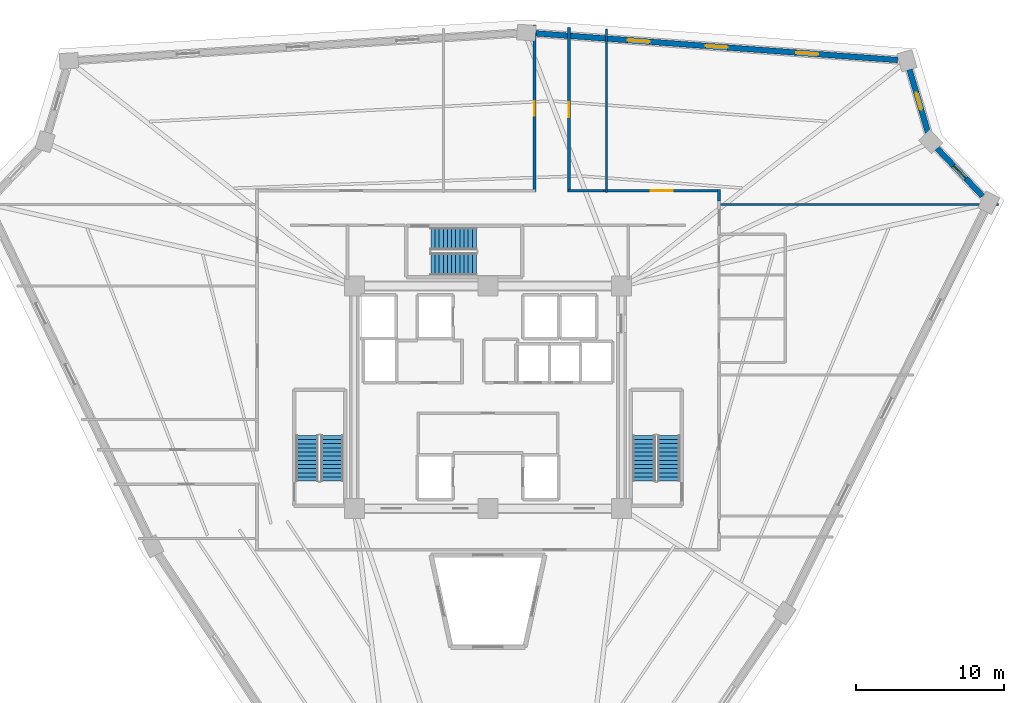
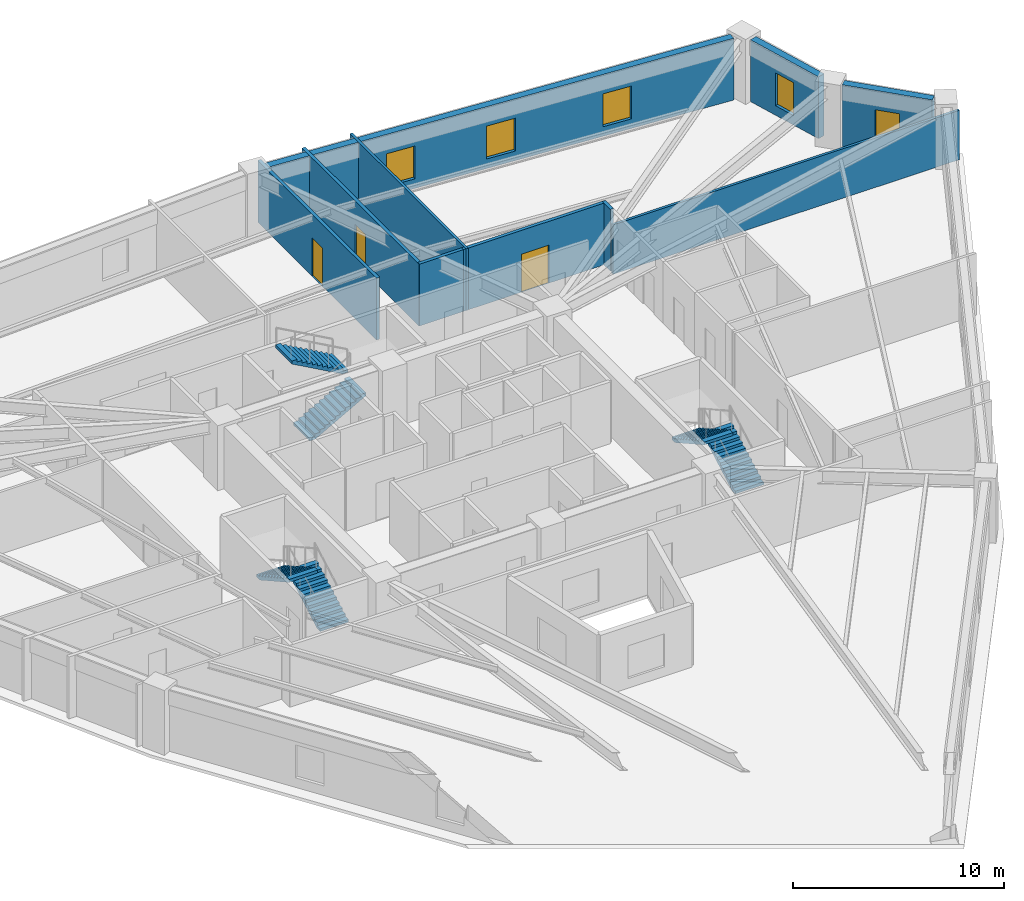
# One storey, part 7 of 8: 10 walls, 6 stair flights, 5 windows, 3 doors, 8 openings, 3 elements without a shape of their own.
"""IFC4 building model written with IfcOpenShell, lengths in metres."""

from ifc_helpers import new_model, si_unit, direction, frame, frame_2d, origin, place, context, subcontext, project, spatial, polyline, rectangle, outline, extrude, source, transform, mapped, material, layer, layer_set, type_object, element, fill, aggregate, save


model = new_model("IFC4")

# Units and contexts
model_context = context("Model", 3, precision=1e-05, world=origin(), true_north=direction((0.0, 1.0)))
body_context = subcontext(model_context, "Body", "Model", "MODEL_VIEW")
ifc_project = project(units=[si_unit("LENGTHUNIT", "METRE"), si_unit("AREAUNIT", "SQUARE_METRE"), si_unit("VOLUMEUNIT", "CUBIC_METRE"), si_unit("PLANEANGLEUNIT", "RADIAN"), si_unit("MASSUNIT", "GRAM", prefix="KILO")], contexts=[model_context])

# Site, building, storey
site_placement = place(None, origin())
site = spatial("IfcSite", under=ifc_project, at=site_placement, CompositionType="ELEMENT")
building_placement = place(site_placement, origin())
building = spatial("IfcBuilding", under=site, at=building_placement, Name="Liaohun Quay Tower", CompositionType="ELEMENT")
storey_placement = place(building_placement, frame((0.0, 0.0, 209.25)))
storey = spatial("IfcBuildingStorey", under=building, at=storey_placement, Name="L54", CompositionType="ELEMENT", Elevation=209.25)

# Wall, opening, window
ifc_material_1 = material(Name="Precast concrete C50 insulated sandwich", Category="concrete")
ifc_layer_1 = layer(ifc_material_1, 0.3798828125, Name="Precast concrete C50 insulated sandwich", Category="concrete")
ifc_layer_set_1 = layer_set([ifc_layer_1], Name="Precast concrete C50 insulated sandwich")
wall_type_1 = type_object("IfcWallType", Name="WAL-EXT-Z34", PredefinedType="SOLIDWALL", material=ifc_layer_set_1)
wall_1_placement = place(storey_placement, frame((93.31201171875, 67.553955078125, 0.0), z_axis=(0.0, 0.0, 1.0), x_axis=(-0.689339649611, 0.724438297906, 0.0)))
wall_1 = element("IfcWall", 1, at=wall_1_placement, inside=storey, type_object=wall_type_1, Name="L54 Brutalist Precast Pier Wall 04", PredefinedType="SOLIDWALL", context=body_context, shape_type="SweptSolid", body=[
    extrude(rectangle(XDim=4.44482421875, YDim=0.3798828125, at=frame_2d((2.222412109375, 0.0))), origin(), (0.0, 0.0, 1.0), 3.570068359375),
])
shared_shape_1 = source(origin(), body_context, "Body", "SweptSolid", [
    extrude(rectangle(XDim=1.199951171875, YDim=1.89990234375, at=frame_2d((0.60009765625, 0.949951171875))), frame((0.0, 0.199951171875, 0.0), z_axis=(0.0, -1.0, 0.0), x_axis=(1.0, 0.0, 0.0)), (0.0, 0.0, 1.0), 0.39990234375),
])
opening_1_placement = place(wall_1_placement, frame((1.6220703125, 0.0, 0.550048828125)))
opening_1 = element("IfcOpeningElement", 2, at=opening_1_placement, cuts=wall_1, Name="Opening W05", PredefinedType="OPENING", context=body_context, shape_type="MappedRepresentation", body=[
    mapped(shared_shape_1, transform((0.0, 0.0, 0.0), x_axis=(1.0, 0.0, 0.0), y_axis=(0.0, 1.0, 0.0), z_axis=(0.0, 0.0, 1.0), scale=1.0)),
])
ifc_material_2 = material(Name="Triple Low-E corner notch glazing", Category="glass")
window_type_1 = type_object("IfcWindowType", Name="WIN-NOTCH", PartitioningType="SINGLE_PANEL", PredefinedType="WINDOW", material=ifc_material_2)
shared_shape_2 = source(origin(), body_context, "Body", "SweptSolid", [
    extrude(rectangle(XDim=1.199951171875, YDim=1.89990234375, at=frame_2d((0.60009765625, 0.949951171875))), frame((0.0, 0.030029296875, 0.0), z_axis=(0.0, -1.0, 0.0), x_axis=(1.0, 0.0, 0.0)), (0.0, 0.0, 1.0), 0.06005859375),
])
window_1_placement = place(opening_1_placement, origin())
window_1 = element("IfcWindow", 3, at=window_1_placement, inside=storey, type_object=window_type_1, Name="L54 Corner Notch Window W05-04", OverallHeight=1.89990234375, OverallWidth=1.199951171875, PartitioningType="SINGLE_PANEL", PredefinedType="WINDOW", context=body_context, shape_type="MappedRepresentation", body=[
    mapped(shared_shape_2, transform((0.0, 0.0, 0.0), x_axis=(1.0, 0.0, 0.0), y_axis=(0.0, 1.0, 0.0), z_axis=(0.0, 0.0, 1.0), scale=1.0)),
])
fill(opening_1, window_1)

wall_2_placement = place(storey_placement, frame((89.64990234375, 71.80908203125, 0.0), z_axis=(0.0, 0.0, 1.0), x_axis=(-0.282504740452, 0.95926590246, 0.0)))
wall_2 = element("IfcWall", 4, at=wall_2_placement, inside=storey, type_object=wall_type_1, Name="L54 Brutalist Precast Pier Wall 05", PredefinedType="SOLIDWALL", context=body_context, shape_type="SweptSolid", body=[
    extrude(rectangle(XDim=4.452392578125, YDim=0.3798828125, at=frame_2d((2.22607421875, 0.0))), origin(), (0.0, 0.0, 1.0), 3.570068359375),
])
opening_2_placement = place(wall_2_placement, frame((1.6259765625, 0.0, 0.550048828125)))
opening_2 = element("IfcOpeningElement", 5, at=opening_2_placement, cuts=wall_2, Name="Opening W05", PredefinedType="OPENING", context=body_context, shape_type="MappedRepresentation", body=[
    mapped(shared_shape_1, transform((0.0, 0.0, 0.0), x_axis=(1.0, 0.0, 0.0), y_axis=(0.0, 1.0, 0.0), z_axis=(0.0, 0.0, 1.0), scale=1.0)),
])
window_2_placement = place(opening_2_placement, origin())
window_2 = element("IfcWindow", 6, at=window_2_placement, inside=storey, type_object=window_type_1, Name="L54 Corner Notch Window W05-05", OverallHeight=1.89990234375, OverallWidth=1.199951171875, PartitioningType="SINGLE_PANEL", PredefinedType="WINDOW", context=body_context, shape_type="MappedRepresentation", body=[
    mapped(shared_shape_2, transform((0.0, 0.0, 0.0), x_axis=(1.0, 0.0, 0.0), y_axis=(0.0, 1.0, 0.0), z_axis=(0.0, 0.0, 1.0), scale=1.0)),
])
fill(opening_2, window_2)

# Wall, openings, windows
wall_3_placement = place(storey_placement, frame((87.60498046875, 76.715087890625, 0.0), z_axis=(0.0, 0.0, 1.0), x_axis=(-0.997283768188, 0.073655181142, 0.0)))
wall_3 = element("IfcWall", 7, at=wall_3_placement, inside=storey, type_object=wall_type_1, Name="L54 Brutalist Precast Pier Wall 06", PredefinedType="SOLIDWALL", context=body_context, shape_type="SweptSolid", body=[
    extrude(rectangle(XDim=24.46533203125, YDim=0.3798828125, at=frame_2d((12.232666015625, 0.0))), origin(), (0.0, 0.0, 1.0), 3.570068359375),
])
shared_shape_3 = source(origin(), body_context, "Body", "SweptSolid", [
    extrude(rectangle(XDim=1.5, YDim=1.89990234375, at=frame_2d((0.75, 0.949951171875))), frame((0.0, 0.199951171875, 0.0), z_axis=(0.0, -1.0, 0.0), x_axis=(1.0, 0.0, 0.0)), (0.0, 0.0, 1.0), 0.39990234375),
])
opening_3_placement = place(wall_3_placement, frame((5.365966796875, 0.0, 0.550048828125)))
opening_3 = element("IfcOpeningElement", 8, at=opening_3_placement, cuts=wall_3, Name="Opening W03", PredefinedType="OPENING", context=body_context, shape_type="MappedRepresentation", body=[
    mapped(shared_shape_3, transform((0.0, 0.0, 0.0), x_axis=(1.0, 0.0, 0.0), y_axis=(0.0, 1.0, 0.0), z_axis=(0.0, 0.0, 1.0), scale=1.0)),
])
opening_4_placement = place(wall_3_placement, frame((11.48291015625, 0.0, 0.550048828125)))
opening_4 = element("IfcOpeningElement", 9, at=opening_4_placement, cuts=wall_3, Name="Opening W03", PredefinedType="OPENING", context=body_context, shape_type="MappedRepresentation", body=[
    mapped(shared_shape_3, transform((0.0, 0.0, 0.0), x_axis=(1.0, 0.0, 0.0), y_axis=(0.0, 1.0, 0.0), z_axis=(0.0, 0.0, 1.0), scale=1.0)),
])
opening_5_placement = place(wall_3_placement, frame((16.7490234375, 0.0, 0.550048828125)))
opening_5 = element("IfcOpeningElement", 10, at=opening_5_placement, cuts=wall_3, Name="Opening W03", PredefinedType="OPENING", context=body_context, shape_type="MappedRepresentation", body=[
    mapped(shared_shape_3, transform((0.0, 0.0, 0.0), x_axis=(1.0, 0.0, 0.0), y_axis=(0.0, 1.0, 0.0), z_axis=(0.0, 0.0, 1.0), scale=1.0)),
])
ifc_material_3 = material(Name="Triple Low-E argon glazing in thermally broken aluminium", Category="aluminium")
window_type_2 = type_object("IfcWindowType", Name="WIN-PUN-Z3", PartitioningType="DOUBLE_PANEL_VERTICAL", PredefinedType="WINDOW", material=ifc_material_3)
shared_shape_4 = source(origin(), body_context, "Body", "SweptSolid", [
    extrude(rectangle(XDim=1.5, YDim=1.89990234375, at=frame_2d((0.75, 0.949951171875))), frame((0.0, 0.030029296875, 0.0), z_axis=(0.0, -1.0, 0.0), x_axis=(1.0, 0.0, 0.0)), (0.0, 0.0, 1.0), 0.06005859375),
])
window_3_placement = place(opening_3_placement, origin())
window_3 = element("IfcWindow", 11, at=window_3_placement, inside=storey, type_object=window_type_2, Name="L54 Recessed Cold-Climate Punched Window 06-1", OverallHeight=1.89990234375, OverallWidth=1.5, PartitioningType="DOUBLE_PANEL_VERTICAL", PredefinedType="WINDOW", context=body_context, shape_type="MappedRepresentation", body=[
    mapped(shared_shape_4, transform((0.0, 0.0, 0.0), x_axis=(1.0, 0.0, 0.0), y_axis=(0.0, 1.0, 0.0), z_axis=(0.0, 0.0, 1.0), scale=1.0)),
])
fill(opening_3, window_3)
window_4_placement = place(opening_4_placement, origin())
window_4 = element("IfcWindow", 12, at=window_4_placement, inside=storey, type_object=window_type_2, Name="L54 Recessed Cold-Climate Punched Window 06-2", OverallHeight=1.89990234375, OverallWidth=1.5, PartitioningType="DOUBLE_PANEL_VERTICAL", PredefinedType="WINDOW", context=body_context, shape_type="MappedRepresentation", body=[
    mapped(shared_shape_4, transform((0.0, 0.0, 0.0), x_axis=(1.0, 0.0, 0.0), y_axis=(0.0, 1.0, 0.0), z_axis=(0.0, 0.0, 1.0), scale=1.0)),
])
fill(opening_4, window_4)
window_5_placement = place(opening_5_placement, origin())
window_5 = element("IfcWindow", 13, at=window_5_placement, inside=storey, type_object=window_type_2, Name="L54 Recessed Cold-Climate Punched Window 06-3", OverallHeight=1.89990234375, OverallWidth=1.5, PartitioningType="DOUBLE_PANEL_VERTICAL", PredefinedType="WINDOW", context=body_context, shape_type="MappedRepresentation", body=[
    mapped(shared_shape_4, transform((0.0, 0.0, 0.0), x_axis=(1.0, 0.0, 0.0), y_axis=(0.0, 1.0, 0.0), z_axis=(0.0, 0.0, 1.0), scale=1.0)),
])
fill(opening_5, window_5)

# Wall, opening, door
ifc_material_4 = material(Name="Autoclaved aerated concrete blockwork", Category="masonry")
ifc_layer_2 = layer(ifc_material_4, 0.179931640625, Name="Autoclaved aerated concrete blockwork", Category="masonry")
ifc_layer_set_2 = layer_set([ifc_layer_2], Name="Autoclaved aerated concrete blockwork")
wall_type_2 = type_object("IfcWallType", Name="WAL-PRT-COR", PredefinedType="PARTITIONING", material=ifc_layer_set_2)
wall_4_placement = place(storey_placement, frame((67.784912109375, 67.909912109375, 0.0), z_axis=(0.0, 0.0, 1.0), x_axis=(1.0, 0.0, 0.0)))
wall_4 = element("IfcWall", 14, at=wall_4_placement, inside=storey, type_object=wall_type_2, Name="L54 Interior Partition Wall 012", PredefinedType="PARTITIONING", context=body_context, shape_type="SweptSolid", body=[
    extrude(rectangle(XDim=7.844970703125, YDim=0.179931640625, at=frame_2d((3.92236328125, 0.0))), origin(), (0.0, 0.0, 1.0), 3.570068359375),
])
shared_shape_5 = source(origin(), body_context, "Body", "SweptSolid", [
    extrude(rectangle(XDim=1.5, YDim=2.199951171875, at=frame_2d((0.75, 1.10009765625))), frame((0.0, 0.099853515625, 0.0), z_axis=(0.0, -1.0, 0.0), x_axis=(1.0, 0.0, 0.0)), (0.0, 0.0, 1.0), 0.199951171875),
])
opening_6_placement = place(wall_4_placement, frame((3.172119140625, 0.0, 0.0)))
opening_6 = element("IfcOpeningElement", 15, at=opening_6_placement, cuts=wall_4, Name="Opening OD2", PredefinedType="OPENING", context=body_context, shape_type="MappedRepresentation", body=[
    mapped(shared_shape_5, transform((0.0, 0.0, 0.0), x_axis=(1.0, 0.0, 0.0), y_axis=(0.0, 1.0, 0.0), z_axis=(0.0, 0.0, 1.0), scale=1.0)),
])
ifc_material_5 = material(Name="Acoustic oak veneer double door")
door_type_1 = type_object("IfcDoorType", Name="DOR-OFF-1500", OperationType="DOUBLE_DOOR_SINGLE_SWING", PredefinedType="DOOR", material=ifc_material_5)
shared_shape_6 = source(origin(), body_context, "Body", "SweptSolid", [
    extrude(rectangle(XDim=1.5, YDim=2.199951171875, at=frame_2d((0.75, 1.10009765625))), frame((0.0, 0.02490234375, 0.0), z_axis=(0.0, -1.0, 0.0), x_axis=(1.0, 0.0, 0.0)), (0.0, 0.0, 1.0), 0.050048828125),
])
door_1_placement = place(opening_6_placement, origin())
door_1 = element("IfcDoor", 16, at=door_1_placement, inside=storey, type_object=door_type_1, Name="L54 Occupational Wellness Clinic 02 Door", OperationType="DOUBLE_DOOR_SINGLE_SWING", OverallHeight=2.199951171875, OverallWidth=1.5, PredefinedType="DOOR", context=body_context, shape_type="MappedRepresentation", body=[
    mapped(shared_shape_6, transform((0.0, 0.0, 0.0), x_axis=(1.0, 0.0, 0.0), y_axis=(0.0, 1.0, 0.0), z_axis=(0.0, 0.0, 1.0), scale=1.0)),
])
fill(opening_6, door_1)

wall_5_placement = place(storey_placement, frame((65.4599609375, 78.89208984375, 0.0), z_axis=(0.0, 0.0, 1.0), x_axis=(0.0, -1.0, 0.0)))
wall_5 = element("IfcWall", 17, at=wall_5_placement, inside=storey, type_object=wall_type_2, Name="L54 Interior Partition Wall 013", PredefinedType="PARTITIONING", context=body_context, shape_type="SweptSolid", body=[
    extrude(rectangle(XDim=11.052001953125, YDim=0.179931640625, at=frame_2d((5.52587890625, 0.0))), origin(), (0.0, 0.0, 1.0), 3.570068359375),
])
shared_shape_7 = source(origin(), body_context, "Body", "SweptSolid", [
    extrude(rectangle(XDim=1.0, YDim=2.199951171875, at=frame_2d((0.5, 1.10009765625))), frame((0.0, 0.099853515625, 0.0), z_axis=(0.0, -1.0, 0.0), x_axis=(1.0, 0.0, 0.0)), (0.0, 0.0, 1.0), 0.199951171875),
])
opening_7_placement = place(wall_5_placement, frame((5.02587890625, 0.0, 0.0)))
opening_7 = element("IfcOpeningElement", 18, at=opening_7_placement, cuts=wall_5, Name="Opening OD1", PredefinedType="OPENING", context=body_context, shape_type="MappedRepresentation", body=[
    mapped(shared_shape_7, transform((0.0, 0.0, 0.0), x_axis=(1.0, 0.0, 0.0), y_axis=(0.0, 1.0, 0.0), z_axis=(0.0, 0.0, 1.0), scale=1.0)),
])
ifc_material_6 = material(Name="Solid-core oak veneer timber leaf in steel frame", Category="steel")
door_type_2 = type_object("IfcDoorType", Name="DOR-OFF-1000", OperationType="NOTDEFINED", PredefinedType="DOOR", material=ifc_material_6)
shared_shape_8 = source(origin(), body_context, "Body", "SweptSolid", [
    extrude(rectangle(XDim=1.0, YDim=2.199951171875, at=frame_2d((0.5, 1.10009765625))), frame((0.0, 0.02490234375, 0.0), z_axis=(0.0, -1.0, 0.0), x_axis=(1.0, 0.0, 0.0)), (0.0, 0.0, 1.0), 0.050048828125),
])
door_2_placement = place(opening_7_placement, origin())
door_2 = element("IfcDoor", 19, at=door_2_placement, inside=storey, type_object=door_type_2, Name="L54 Staff Daycare Nursery 03 Door", OperationType="SINGLE_SWING_RIGHT", OverallHeight=2.199951171875, OverallWidth=1.0, PredefinedType="DOOR", context=body_context, shape_type="MappedRepresentation", body=[
    mapped(shared_shape_8, transform((0.0, 0.0, 0.0), x_axis=(1.0, 0.0, 0.0), y_axis=(0.0, 1.0, 0.0), z_axis=(0.0, 0.0, 1.0), scale=1.0)),
])
fill(opening_7, door_2)

wall_6_placement = place(storey_placement, frame((63.139892578125, 67.840087890625, 0.0), z_axis=(0.0, 0.0, 1.0), x_axis=(0.0, 1.0, 0.0)))
wall_6 = element("IfcWall", 20, at=wall_6_placement, inside=storey, type_object=wall_type_2, Name="L54 Interior Partition Wall 014", PredefinedType="PARTITIONING", context=body_context, shape_type="SweptSolid", body=[
    extrude(rectangle(XDim=11.222900390625, YDim=0.179931640625, at=frame_2d((5.611328125, 0.0))), origin(), (0.0, 0.0, 1.0), 3.570068359375),
])
opening_8_placement = place(wall_6_placement, frame((5.111083984375, 0.0, 0.0)))
opening_8 = element("IfcOpeningElement", 21, at=opening_8_placement, cuts=wall_6, Name="Opening OD1", PredefinedType="OPENING", context=body_context, shape_type="MappedRepresentation", body=[
    mapped(shared_shape_7, transform((0.0, 0.0, 0.0), x_axis=(1.0, 0.0, 0.0), y_axis=(0.0, 1.0, 0.0), z_axis=(0.0, 0.0, 1.0), scale=1.0)),
])
door_3_placement = place(opening_8_placement, origin())
door_3 = element("IfcDoor", 22, at=door_3_placement, inside=storey, type_object=door_type_2, Name="L54 Project Collaboration Studio 04 Door", OperationType="SINGLE_SWING_LEFT", OverallHeight=2.199951171875, OverallWidth=1.0, PredefinedType="DOOR", context=body_context, shape_type="MappedRepresentation", body=[
    mapped(shared_shape_8, transform((0.0, 0.0, 0.0), x_axis=(1.0, 0.0, 0.0), y_axis=(0.0, 1.0, 0.0), z_axis=(0.0, 0.0, 1.0), scale=1.0)),
])
fill(opening_8, door_3)

# Walls
wall_7_placement = place(storey_placement, frame((75.56005859375, 67.97998046875, 0.0), z_axis=(0.0, 0.0, 1.0), x_axis=(0.0, -1.0, 0.0)))
element("IfcWall", 23, at=wall_7_placement, inside=storey, type_object=wall_type_2, Name="L54 Interior Partition Wall 034", PredefinedType="PARTITIONING", context=body_context, shape_type="SweptSolid", body=[
    extrude(rectangle(XDim=0.764892578125, YDim=0.179931640625, at=frame_2d((0.38232421875, 0.0))), origin(), (0.0, 0.0, 1.0), 3.570068359375),
])
wall_8_placement = place(storey_placement, frame((65.389892578125, 67.909912109375, 0.0), z_axis=(0.0, 0.0, 1.0), x_axis=(1.0, 0.0, 0.0)))
element("IfcWall", 24, at=wall_8_placement, inside=storey, type_object=wall_type_2, Name="L54 Interior Partition Wall 035", PredefinedType="PARTITIONING", context=body_context, shape_type="SweptSolid", body=[
    extrude(rectangle(XDim=2.39501953125, YDim=0.179931640625, at=frame_2d((1.197509765625, 0.0))), origin(), (0.0, 0.0, 1.0), 3.570068359375),
])
ifc_material_7 = material(Name="Gypsum board on twin steel studs", Category="steel")
ifc_layer_3 = layer(ifc_material_7, 0.139892578125, Name="Gypsum board on twin steel studs", Category="steel")
ifc_layer_set_3 = layer_set([ifc_layer_3], Name="Gypsum board on twin steel studs")
wall_type_3 = type_object("IfcWallType", Name="WAL-PRT-OFF", PredefinedType="PARTITIONING", material=ifc_layer_set_3)
wall_9_placement = place(storey_placement, frame((75.4599609375, 67.0, 0.0), z_axis=(0.0, 0.0, 1.0), x_axis=(1.0, 0.0, 0.0)))
element("IfcWall", 25, at=wall_9_placement, inside=storey, type_object=wall_type_3, Name="L54 Interior Partition Wall 049", PredefinedType="PARTITIONING", context=body_context, shape_type="SweptSolid", body=[
    extrude(rectangle(XDim=18.925048828125, YDim=0.139892578125, at=frame_2d((9.46240234375, 0.0))), origin(), (0.0, 0.0, 1.0), 2.85498046875),
])
wall_10_placement = place(storey_placement, frame((68.0, 67.81005859375, 0.0), z_axis=(0.0, 0.0, 1.0), x_axis=(0.0, 1.0, 0.0)))
element("IfcWall", 26, at=wall_10_placement, inside=storey, type_object=wall_type_3, Name="L54 Interior Partition Wall 051", PredefinedType="PARTITIONING", context=body_context, shape_type="SweptSolid", body=[
    extrude(rectangle(XDim=10.98388671875, YDim=0.139892578125, at=frame_2d((5.491943359375, 0.0))), origin(), (0.0, 0.0, 1.0), 3.570068359375),
])

# Stair, stair flights
ifc_material_8 = material(Name="Concrete C45", Category="concrete")
stair_type = type_object("IfcStairType", Name="STR-CORE-OFF", PredefinedType="HALF_TURN_STAIR", material=ifc_material_8)
stair_1_placement = place(storey_placement, origin())
stair_1 = element("IfcStair", 27, at=stair_1_placement, inside=storey, type_object=stair_type, Name="L54 Smokeproof Core Exit Stair ST-1", PredefinedType="HALF_TURN_STAIR")
stair_flight_type = type_object("IfcStairFlightType", Name="FLT-CORE-155", PredefinedType="STRAIGHT", material=ifc_material_8)
stair_flight_1_placement = place(storey_placement, frame((49.5048828125, 48.35009765625, 0.0), z_axis=(0.0, 0.0, 1.0), x_axis=(0.0, 1.0, 0.0)))
stair_flight_1 = element("IfcStairFlight", 28, at=stair_flight_1_placement, type_object=stair_flight_type, Name="ST-1 flight 1", NumberOfRisers=12, NumberOfTreads=11, PredefinedType="STRAIGHT", RiserHeight=0.15625, TreadLength=0.28, context=body_context, shape_type="SweptSolid", body=[
    extrude(outline(polyline([(0.0, 0.0), (0.0, 0.15625), (0.280029296875, 0.15625), (0.280029296875, 0.3125), (0.56005859375, 0.3125), (0.56005859375, 0.46875), (0.840087890625, 0.46875), (0.840087890625, 0.625), (1.1201171875, 0.625), (1.1201171875, 0.78125), (1.39990234375, 0.78125), (1.39990234375, 0.9375), (1.679931640625, 0.9375), (1.679931640625, 1.09375), (1.9599609375, 1.09375), (1.9599609375, 1.25), (2.239990234375, 1.25), (2.239990234375, 1.40625), (2.52001953125, 1.40625), (2.52001953125, 1.5625), (2.800048828125, 1.5625), (2.800048828125, 1.71875), (3.080078125, 1.71875), (3.080078125, 1.875), (3.080078125, 1.547119140625), (0.3076171875, 0.0), (0.0, 0.0)])), frame((0.0, 0.77490234375, 0.0), z_axis=(0.0, -1.0, 0.0), x_axis=(1.0, 0.0, 0.0)), (0.0, 0.0, 1.0), 1.550048828125),
])
stair_flight_2_placement = place(storey_placement, frame((47.81494140625, 51.429931640625, 1.875), z_axis=(0.0, 0.0, 1.0), x_axis=(0.0, -1.0, 0.0)))
stair_flight_2 = element("IfcStairFlight", 29, at=stair_flight_2_placement, type_object=stair_flight_type, Name="ST-1 flight 2", NumberOfRisers=12, NumberOfTreads=11, PredefinedType="STRAIGHT", RiserHeight=0.15625, TreadLength=0.28, context=body_context, shape_type="SweptSolid", body=[
    extrude(outline(polyline([(0.0, 0.0), (0.0, 0.15625), (0.280029296875, 0.15625), (0.280029296875, 0.3125), (0.56005859375, 0.3125), (0.56005859375, 0.46875), (0.840087890625, 0.46875), (0.840087890625, 0.625), (1.1201171875, 0.625), (1.1201171875, 0.78125), (1.39990234375, 0.78125), (1.39990234375, 0.9375), (1.679931640625, 0.9375), (1.679931640625, 1.09375), (1.9599609375, 1.09375), (1.9599609375, 1.25), (2.239990234375, 1.25), (2.239990234375, 1.40625), (2.52001953125, 1.40625), (2.52001953125, 1.5625), (2.800048828125, 1.5625), (2.800048828125, 1.71875), (3.080078125, 1.71875), (3.080078125, 1.875), (3.080078125, 1.547119140625), (0.3076171875, 0.0), (0.0, 0.0)])), frame((0.0, 0.77490234375, 0.0), z_axis=(0.0, -1.0, 0.0), x_axis=(1.0, 0.0, 0.0)), (0.0, 0.0, 1.0), 1.550048828125),
])
aggregate(stair_1, [stair_flight_1, stair_flight_2])

stair_2_placement = place(storey_placement, origin())
stair_2 = element("IfcStair", 30, at=stair_2_placement, inside=storey, type_object=stair_type, Name="L54 Smokeproof Core Exit Stair ST-2", PredefinedType="HALF_TURN_STAIR")
stair_flight_3_placement = place(storey_placement, frame((72.18505859375, 48.35009765625, 0.0), z_axis=(0.0, 0.0, 1.0), x_axis=(0.0, 1.0, 0.0)))
stair_flight_3 = element("IfcStairFlight", 31, at=stair_flight_3_placement, type_object=stair_flight_type, Name="ST-2 flight 1", NumberOfRisers=12, NumberOfTreads=11, PredefinedType="STRAIGHT", RiserHeight=0.15625, TreadLength=0.28, context=body_context, shape_type="SweptSolid", body=[
    extrude(outline(polyline([(0.0, 0.0), (0.0, 0.15625), (0.280029296875, 0.15625), (0.280029296875, 0.3125), (0.56005859375, 0.3125), (0.56005859375, 0.46875), (0.840087890625, 0.46875), (0.840087890625, 0.625), (1.1201171875, 0.625), (1.1201171875, 0.78125), (1.39990234375, 0.78125), (1.39990234375, 0.9375), (1.679931640625, 0.9375), (1.679931640625, 1.09375), (1.9599609375, 1.09375), (1.9599609375, 1.25), (2.239990234375, 1.25), (2.239990234375, 1.40625), (2.52001953125, 1.40625), (2.52001953125, 1.5625), (2.800048828125, 1.5625), (2.800048828125, 1.71875), (3.080078125, 1.71875), (3.080078125, 1.875), (3.080078125, 1.547119140625), (0.3076171875, 0.0), (0.0, 0.0)])), frame((0.0, 0.77490234375, 0.0), z_axis=(0.0, -1.0, 0.0), x_axis=(1.0, 0.0, 0.0)), (0.0, 0.0, 1.0), 1.550048828125),
])
stair_flight_4_placement = place(storey_placement, frame((70.4951171875, 51.429931640625, 1.875), z_axis=(0.0, 0.0, 1.0), x_axis=(0.0, -1.0, 0.0)))
stair_flight_4 = element("IfcStairFlight", 32, at=stair_flight_4_placement, type_object=stair_flight_type, Name="ST-2 flight 2", NumberOfRisers=12, NumberOfTreads=11, PredefinedType="STRAIGHT", RiserHeight=0.15625, TreadLength=0.28, context=body_context, shape_type="SweptSolid", body=[
    extrude(outline(polyline([(0.0, 0.0), (0.0, 0.15625), (0.280029296875, 0.15625), (0.280029296875, 0.3125), (0.56005859375, 0.3125), (0.56005859375, 0.46875), (0.840087890625, 0.46875), (0.840087890625, 0.625), (1.1201171875, 0.625), (1.1201171875, 0.78125), (1.39990234375, 0.78125), (1.39990234375, 0.9375), (1.679931640625, 0.9375), (1.679931640625, 1.09375), (1.9599609375, 1.09375), (1.9599609375, 1.25), (2.239990234375, 1.25), (2.239990234375, 1.40625), (2.52001953125, 1.40625), (2.52001953125, 1.5625), (2.800048828125, 1.5625), (2.800048828125, 1.71875), (3.080078125, 1.71875), (3.080078125, 1.875), (3.080078125, 1.547119140625), (0.3076171875, 0.0), (0.0, 0.0)])), frame((0.0, 0.77490234375, 0.0), z_axis=(0.0, -1.0, 0.0), x_axis=(1.0, 0.0, 0.0)), (0.0, 0.0, 1.0), 1.550048828125),
])
aggregate(stair_2, [stair_flight_3, stair_flight_4])

stair_3_placement = place(storey_placement, origin())
stair_3 = element("IfcStair", 33, at=stair_3_placement, inside=storey, type_object=stair_type, Name="L54 Smokeproof Core Exit Stair ST-3", PredefinedType="HALF_TURN_STAIR")
stair_flight_5_placement = place(storey_placement, frame((56.14990234375, 62.97509765625, 0.0), z_axis=(0.0, 0.0, 1.0), x_axis=(1.0, 0.0, 0.0)))
stair_flight_5 = element("IfcStairFlight", 34, at=stair_flight_5_placement, type_object=stair_flight_type, Name="ST-3 flight 1", NumberOfRisers=12, NumberOfTreads=11, PredefinedType="STRAIGHT", RiserHeight=0.15625, TreadLength=0.28, context=body_context, shape_type="SweptSolid", body=[
    extrude(outline(polyline([(0.0, 0.0), (0.0, 0.15625), (0.280029296875, 0.15625), (0.280029296875, 0.3125), (0.56005859375, 0.3125), (0.56005859375, 0.46875), (0.840087890625, 0.46875), (0.840087890625, 0.625), (1.1201171875, 0.625), (1.1201171875, 0.78125), (1.39990234375, 0.78125), (1.39990234375, 0.9375), (1.679931640625, 0.9375), (1.679931640625, 1.09375), (1.9599609375, 1.09375), (1.9599609375, 1.25), (2.239990234375, 1.25), (2.239990234375, 1.40625), (2.52001953125, 1.40625), (2.52001953125, 1.5625), (2.800048828125, 1.5625), (2.800048828125, 1.71875), (3.080078125, 1.71875), (3.080078125, 1.875), (3.080078125, 1.547119140625), (0.3076171875, 0.0), (0.0, 0.0)])), frame((0.0, 0.77490234375, 0.0), z_axis=(0.0, -1.0, 0.0), x_axis=(1.0, 0.0, 0.0)), (0.0, 0.0, 1.0), 1.550048828125),
])
stair_flight_6_placement = place(storey_placement, frame((59.22998046875, 64.6650390625, 1.875), z_axis=(0.0, 0.0, 1.0), x_axis=(-1.0, 0.0, 0.0)))
stair_flight_6 = element("IfcStairFlight", 35, at=stair_flight_6_placement, type_object=stair_flight_type, Name="ST-3 flight 2", NumberOfRisers=12, NumberOfTreads=11, PredefinedType="STRAIGHT", RiserHeight=0.15625, TreadLength=0.28, context=body_context, shape_type="SweptSolid", body=[
    extrude(outline(polyline([(0.0, 0.0), (0.0, 0.15625), (0.280029296875, 0.15625), (0.280029296875, 0.3125), (0.56005859375, 0.3125), (0.56005859375, 0.46875), (0.840087890625, 0.46875), (0.840087890625, 0.625), (1.1201171875, 0.625), (1.1201171875, 0.78125), (1.39990234375, 0.78125), (1.39990234375, 0.9375), (1.679931640625, 0.9375), (1.679931640625, 1.09375), (1.9599609375, 1.09375), (1.9599609375, 1.25), (2.239990234375, 1.25), (2.239990234375, 1.40625), (2.52001953125, 1.40625), (2.52001953125, 1.5625), (2.800048828125, 1.5625), (2.800048828125, 1.71875), (3.080078125, 1.71875), (3.080078125, 1.875), (3.080078125, 1.547119140625), (0.3076171875, 0.0), (0.0, 0.0)])), frame((0.0, 0.77490234375, 0.0), z_axis=(0.0, -1.0, 0.0), x_axis=(1.0, 0.0, 0.0)), (0.0, 0.0, 1.0), 1.550048828125),
])
aggregate(stair_3, [stair_flight_5, stair_flight_6])

save(model, "model.ifc")
